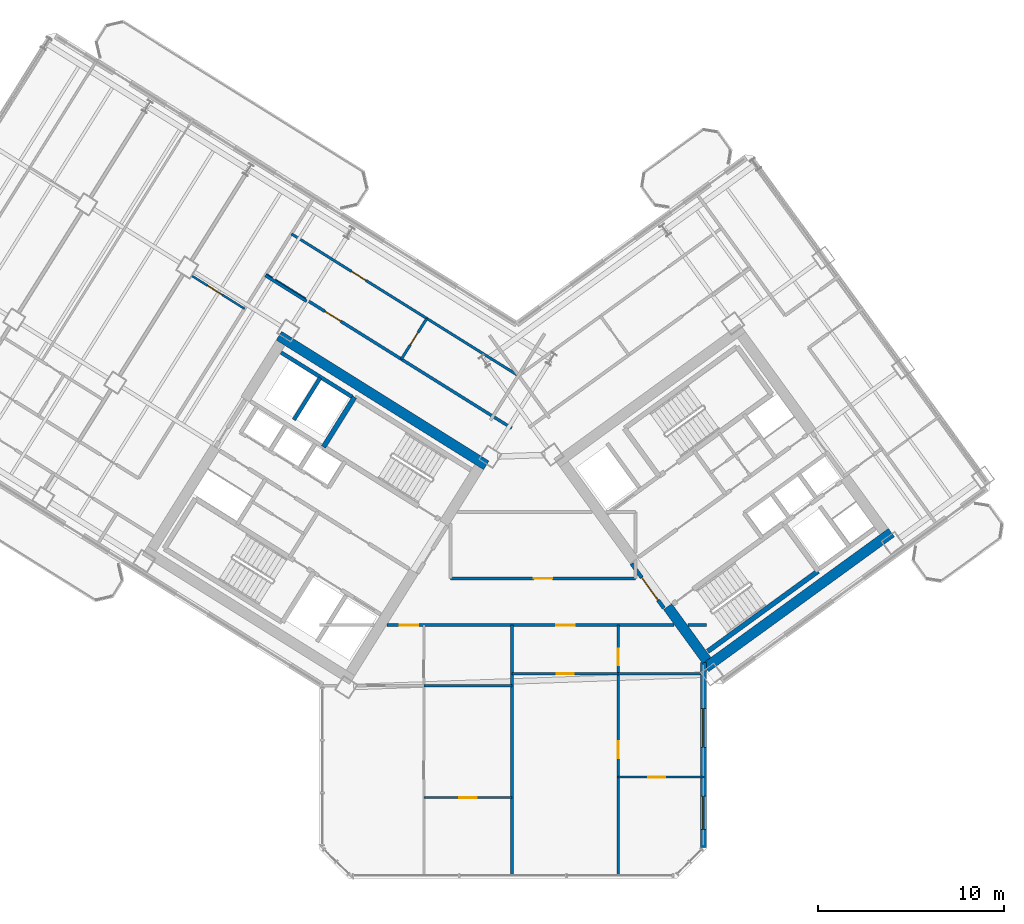
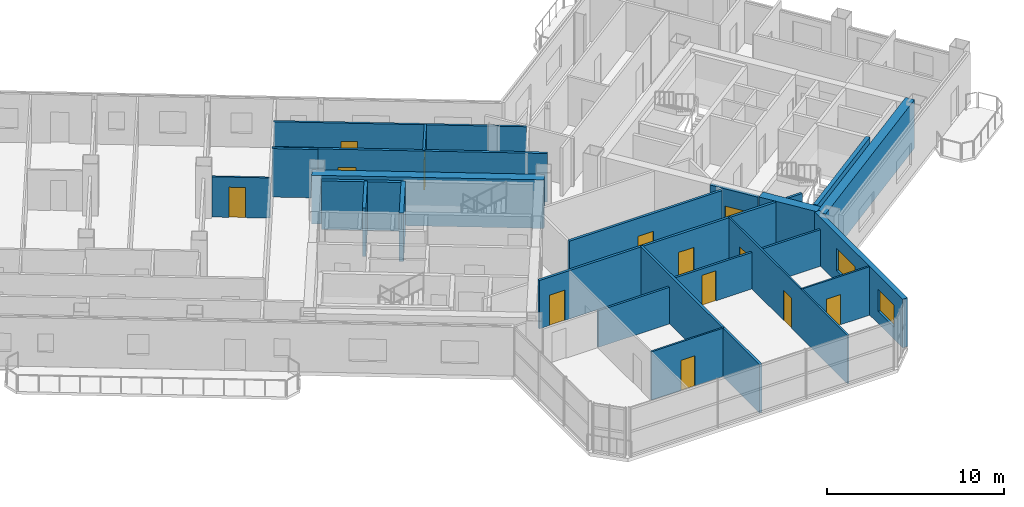
# One storey, part 13 of 21: 24 walls, 13 doors, 2 windows, 15 openings.
"""IFC4 building model written with IfcOpenShell, lengths in metres."""

from ifc_helpers import new_model, si_unit, direction, frame, frame_2d, origin, place, context, subcontext, project, spatial, rectangle, extrude, source, transform, mapped, material, layer, layer_set, type_object, element, fill, save


model = new_model("IFC4")

# Units and contexts
model_context = context("Model", 3, precision=1e-05, world=origin(), true_north=direction((0.0, 1.0)))
body_context = subcontext(model_context, "Body", "Model", "MODEL_VIEW")
ifc_project = project(units=[si_unit("LENGTHUNIT", "METRE"), si_unit("AREAUNIT", "SQUARE_METRE"), si_unit("VOLUMEUNIT", "CUBIC_METRE"), si_unit("PLANEANGLEUNIT", "RADIAN"), si_unit("MASSUNIT", "GRAM", prefix="KILO")], contexts=[model_context])

# Site, building, storey
site_placement = place(None, origin())
site = spatial("IfcSite", under=ifc_project, at=site_placement, CompositionType="ELEMENT")
building_placement = place(site_placement, origin())
building = spatial("IfcBuilding", under=site, at=building_placement, Name="Tlacorven Tower", CompositionType="ELEMENT")
storey_placement = place(building_placement, frame((0.0, 0.0, 105.300048828125)))
storey = spatial("IfcBuildingStorey", under=building, at=storey_placement, Name="L26", CompositionType="ELEMENT", Elevation=105.300048828125)

# Walls
ifc_material_1 = material(Name="Concrete C60/75", Category="concrete")
ifc_layer_1 = layer(ifc_material_1, 0.550048828125)
ifc_layer_set_1 = layer_set([ifc_layer_1], Name="Concrete C60/75")
wall_type_1 = type_object("IfcWallType", Name="WL-COR-550", PredefinedType="SHEAR", material=ifc_layer_set_1)
wall_1_placement = place(storey_placement, frame((40.572998046875, 24.010009765625, 0.0), z_axis=(0.0, 0.0, 1.0), x_axis=(-0.848047359947, 0.529920442413, 0.0)))
element("IfcWall", 1, at=wall_1_placement, inside=storey, type_object=wall_type_1, Name="L26 W core shear wall S1", PredefinedType="SHEAR", context=body_context, shape_type="SweptSolid", body=[
    extrude(rectangle(XDim=13.139892578125, YDim=0.550048828125, at=frame_2d((6.56982421875, 0.0))), origin(), (0.0, 0.0, 1.0), 3.349853515625),
])
wall_2_placement = place(storey_placement, frame((52.35888671875, 13.1396484375, 0.0), z_axis=(0.0, 0.0, 1.0), x_axis=(0.809014896919, 0.587788139183, 0.0)))
element("IfcWall", 2, at=wall_2_placement, inside=storey, type_object=wall_type_1, Name="L26 E core shear wall S1", PredefinedType="SHEAR", context=body_context, shape_type="SweptSolid", body=[
    extrude(rectangle(XDim=12.340087890625, YDim=0.550048828125, at=frame_2d((6.169921875, 0.0))), origin(), (0.0, 0.0, 1.0), 3.349853515625),
])
wall_3_placement = place(storey_placement, frame((52.419677734375, 13.52392578125, 0.0), z_axis=(0.0, 0.0, 1.0), x_axis=(-0.587802113096, 0.809004744015, 0.0)))
element("IfcWall", 3, at=wall_3_placement, inside=storey, type_object=wall_type_1, Name="L26 E core end wall E1.1", PredefinedType="SHEAR", context=body_context, shape_type="SweptSolid", body=[
    extrude(rectangle(XDim=3.574951171875, YDim=0.550048828125, at=frame_2d((1.78759765625, 0.0))), origin(), (0.0, 0.0, 1.0), 3.349853515625),
])
ifc_material_2 = material(Name="Gypsum plasterboard acoustic partition", Category="gypsum")
ifc_layer_2 = layer(ifc_material_2, 0.159912109375)
ifc_layer_set_2 = layer_set([ifc_layer_2], Name="Gypsum plasterboard acoustic partition")
wall_type_2 = type_object("IfcWallType", Name="WL-DEM-160", PredefinedType="PARTITIONING", material=ifc_layer_set_2)
wall_4_placement = place(storey_placement, frame((30.91357421875, 32.82861328125, 0.0), z_axis=(0.0, 0.0, 1.0), x_axis=(-0.848008813643, 0.529982124211, 0.0)))
element("IfcWall", 4, at=wall_4_placement, inside=storey, type_object=wall_type_2, Name="L26 partition 50", PredefinedType="PARTITIONING", context=body_context, shape_type="SweptSolid", body=[
    extrude(rectangle(XDim=2.610107421875, YDim=0.159912109375, at=frame_2d((1.30517578125, 0.0))), origin(), (0.0, 0.0, 1.0), 3.33984375),
])

# Wall, opening, door
wall_5_placement = place(storey_placement, frame((41.93603515625, 26.011962890625, 0.0), z_axis=(0.0, 0.0, 1.0), x_axis=(-0.848051154596, 0.529914369676, 0.0)))
wall_5 = element("IfcWall", 5, at=wall_5_placement, inside=storey, type_object=wall_type_2, Name="L26 partition 69", PredefinedType="PARTITIONING", context=body_context, shape_type="SweptSolid", body=[
    extrude(rectangle(XDim=15.56982421875, YDim=0.159912109375, at=frame_2d((7.784912109375, 0.0))), origin(), (0.0, 0.0, 1.0), 3.33984375),
])
opening_1_placement = place(wall_5_placement, frame((10.830078125, 0.0, 0.0)))
opening_1 = element("IfcOpeningElement", 6, at=opening_1_placement, cuts=wall_5, Name="Opening D11", PredefinedType="OPENING", context=body_context, shape_type="SweptSolid", body=[
    extrude(rectangle(XDim=1.0, YDim=2.10009765625, at=frame_2d((0.5, 1.050048828125))), frame((0.0, 0.08984375, 0.0), z_axis=(0.0, -1.0, 0.0), x_axis=(1.0, 0.0, 0.0)), (0.0, 0.0, 1.0), 0.179931640625),
])
ifc_material_3 = material(Name="Fire-rated steel door assembly", Category="steel")
door_type_1 = type_object("IfcDoorType", Name="DR-FLT-FD60-1000", OperationType="NOTDEFINED", PredefinedType="DOOR", material=ifc_material_3)
shared_shape_1 = source(origin(), body_context, "Body", "SweptSolid", [
    extrude(rectangle(XDim=1.0, YDim=2.10009765625, at=frame_2d((0.5, 1.050048828125))), frame((0.0, 0.02490234375, 0.0), z_axis=(0.0, -1.0, 0.0), x_axis=(1.0, 0.0, 0.0)), (0.0, 0.0, 1.0), 0.050048828125),
])
door_1_placement = place(opening_1_placement, origin())
door_1 = element("IfcDoor", 7, at=door_1_placement, inside=storey, type_object=door_type_1, Name="L26 door 039", OperationType="SINGLE_SWING_RIGHT", OverallHeight=2.10009765625, OverallWidth=1.0, PredefinedType="DOOR", context=body_context, shape_type="MappedRepresentation", body=[
    mapped(shared_shape_1, transform((0.0, 0.0, 0.0), scale=1.0)),
])
fill(opening_1, door_1)

# Wall, openings, doors
wall_6_placement = place(storey_placement, frame((35.2373046875, 15.419921875, 0.0), z_axis=(0.0, 0.0, 1.0), x_axis=(1.0, 0.0, 0.0)))
wall_6 = element("IfcWall", 8, at=wall_6_placement, inside=storey, type_object=wall_type_2, Name="L26 Knuckle Corridor South Wall", PredefinedType="PARTITIONING", context=body_context, shape_type="SweptSolid", body=[
    extrude(rectangle(XDim=15.431640625, YDim=0.159912109375, at=frame_2d((7.7158203125, 0.0))), origin(), (0.0, 0.0, 1.0), 3.33984375),
])
opening_2_placement = place(wall_6_placement, frame((0.673583984375, 0.0, 0.0)))
opening_2 = element("IfcOpeningElement", 9, at=opening_2_placement, cuts=wall_6, Name="Opening D11", PredefinedType="OPENING", context=body_context, shape_type="SweptSolid", body=[
    extrude(rectangle(XDim=1.0, YDim=2.10009765625, at=frame_2d((0.5, 1.050048828125))), frame((0.0, 0.08984375, 0.0), z_axis=(0.0, -1.0, 0.0), x_axis=(1.0, 0.0, 0.0)), (0.0, 0.0, 1.0), 0.179931640625),
])
opening_3_placement = place(wall_6_placement, frame((9.093994140625, 0.0, 0.0)))
opening_3 = element("IfcOpeningElement", 10, at=opening_3_placement, cuts=wall_6, Name="Opening D11", PredefinedType="OPENING", context=body_context, shape_type="SweptSolid", body=[
    extrude(rectangle(XDim=1.0, YDim=2.10009765625, at=frame_2d((0.5, 1.050048828125))), frame((0.0, 0.08984375, 0.0), z_axis=(0.0, -1.0, 0.0), x_axis=(1.0, 0.0, 0.0)), (0.0, 0.0, 1.0), 0.179931640625),
])
door_2_placement = place(opening_2_placement, frame((1.0, 0.0, 0.0), z_axis=(0.0, 0.0, 1.0), x_axis=(-1.0, 0.0, 0.0)))
door_2 = element("IfcDoor", 11, at=door_2_placement, inside=storey, type_object=door_type_1, Name="L26 door 047", OperationType="SINGLE_SWING_RIGHT", OverallHeight=2.10009765625, OverallWidth=1.0, PredefinedType="DOOR", context=body_context, shape_type="MappedRepresentation", body=[
    mapped(shared_shape_1, transform((0.0, 0.0, 0.0), scale=1.0)),
])
fill(opening_2, door_2)
door_3_placement = place(opening_3_placement, frame((1.0, 0.0, 0.0), z_axis=(0.0, 0.0, 1.0), x_axis=(-1.0, 0.0, 0.0)))
door_3 = element("IfcDoor", 12, at=door_3_placement, inside=storey, type_object=door_type_1, Name="L26 door 052", OperationType="SINGLE_SWING_LEFT", OverallHeight=2.10009765625, OverallWidth=1.0, PredefinedType="DOOR", context=body_context, shape_type="MappedRepresentation", body=[
    mapped(shared_shape_1, transform((0.0, 0.0, 0.0), scale=1.0)),
])
fill(opening_3, door_3)

# Wall
wall_7_placement = place(storey_placement, frame((51.41552734375, 15.419921875, 0.0), z_axis=(0.0, 0.0, 1.0), x_axis=(1.0, 0.0, 0.0)))
element("IfcWall", 13, at=wall_7_placement, inside=storey, type_object=wall_type_2, Name="L26 Knuckle Corridor South Wall", PredefinedType="PARTITIONING", context=body_context, shape_type="SweptSolid", body=[
    extrude(rectangle(XDim=0.984375, YDim=0.159912109375, at=frame_2d((0.4921875, 0.0))), origin(), (0.0, 0.0, 1.0), 3.33984375),
])

# Wall, opening, door
wall_8_placement = place(storey_placement, frame((38.64990234375, 17.929931640625, 0.0), z_axis=(0.0, 0.0, 1.0), x_axis=(1.0, 0.0, 0.0)))
wall_8 = element("IfcWall", 14, at=wall_8_placement, inside=storey, type_object=wall_type_2, Name="L26 partition 75", PredefinedType="PARTITIONING", context=body_context, shape_type="SweptSolid", body=[
    extrude(rectangle(XDim=9.9501953125, YDim=0.159912109375, at=frame_2d((4.97509765625, 0.0))), origin(), (0.0, 0.0, 1.0), 3.33984375),
])
opening_4_placement = place(wall_8_placement, frame((4.47509765625, 0.0, 0.0)))
opening_4 = element("IfcOpeningElement", 15, at=opening_4_placement, cuts=wall_8, Name="Opening D11", PredefinedType="OPENING", context=body_context, shape_type="SweptSolid", body=[
    extrude(rectangle(XDim=1.0, YDim=2.10009765625, at=frame_2d((0.5, 1.050048828125))), frame((0.0, 0.08984375, 0.0), z_axis=(0.0, -1.0, 0.0), x_axis=(1.0, 0.0, 0.0)), (0.0, 0.0, 1.0), 0.179931640625),
])
door_4_placement = place(opening_4_placement, origin())
door_4 = element("IfcDoor", 16, at=door_4_placement, inside=storey, type_object=door_type_1, Name="L26 door 042", OperationType="SINGLE_SWING_LEFT", OverallHeight=2.10009765625, OverallWidth=1.0, PredefinedType="DOOR", context=body_context, shape_type="MappedRepresentation", body=[
    mapped(shared_shape_1, transform((0.0, 0.0, 0.0), scale=1.0)),
])
fill(opening_4, door_4)

# Wall
wall_9_placement = place(storey_placement, frame((41.949951171875, 1.9599609375, 0.0), z_axis=(0.0, 0.0, 1.0), x_axis=(0.0, 1.0, 0.0)))
element("IfcWall", 17, at=wall_9_placement, inside=storey, type_object=wall_type_2, Name="L26 Knuckle Demising Wall 1", PredefinedType="PARTITIONING", context=body_context, shape_type="SweptSolid", body=[
    extrude(rectangle(XDim=13.4599609375, YDim=0.159912109375, at=frame_2d((6.72998046875, 0.0))), origin(), (0.0, 0.0, 1.0), 3.33984375),
])

# Wall, openings, windows
ifc_material_4 = material(Name="Precast concrete C45/55", Category="concrete")
ifc_layer_3 = layer(ifc_material_4, 0.320068359375)
ifc_layer_set_3 = layer_set([ifc_layer_3], Name="Precast concrete C45/55")
wall_type_3 = type_object("IfcWallType", Name="WL-EXT-320", PredefinedType="STANDARD", material=ifc_layer_set_3)
wall_10_placement = place(storey_placement, frame((52.239990234375, 13.4140625, 0.0), z_axis=(0.0, 0.0, 1.0), x_axis=(0.0, -1.0, 0.0)))
wall_10 = element("IfcWall", 18, at=wall_10_placement, inside=storey, type_object=wall_type_3, Name="L26 Masonry-Frame Recessed Facade Wall 7", PredefinedType="STANDARD", context=body_context, shape_type="SweptSolid", body=[
    extrude(rectangle(XDim=9.94775390625, YDim=0.320068359375, at=frame_2d((4.973876953125, 0.0))), origin(), (0.0, 0.0, 1.0), 3.349853515625),
])
opening_5_placement = place(wall_10_placement, frame((2.4599609375, 0.0, 0.800048828125)))
opening_5 = element("IfcOpeningElement", 19, at=opening_5_placement, cuts=wall_10, Name="Opening WN04", PredefinedType="OPENING", context=body_context, shape_type="SweptSolid", body=[
    extrude(rectangle(XDim=2.10009765625, YDim=1.550048828125, at=frame_2d((1.050048828125, 0.77490234375))), frame((0.0, 0.169921875, 0.0), z_axis=(0.0, -1.0, 0.0), x_axis=(1.0, 0.0, 0.0)), (0.0, 0.0, 1.0), 0.340087890625),
])
opening_6_placement = place(wall_10_placement, frame((7.183349609375, 0.0, 0.85009765625)))
opening_6 = element("IfcOpeningElement", 20, at=opening_6_placement, cuts=wall_10, Name="Opening WN01", PredefinedType="OPENING", context=body_context, shape_type="SweptSolid", body=[
    extrude(rectangle(XDim=1.800048828125, YDim=1.5, at=frame_2d((0.89990234375, 0.75))), frame((0.0, 0.169921875, 0.0), z_axis=(0.0, -1.0, 0.0), x_axis=(1.0, 0.0, 0.0)), (0.0, 0.0, 1.0), 0.340087890625),
])
ifc_material_5 = material(Name="Dark solar low-E double glazing in anodised aluminium frame", Category="aluminium")
window_type_1 = type_object("IfcWindowType", Name="WN-APT-2100X1750", PartitioningType="SINGLE_PANEL", PredefinedType="WINDOW", material=ifc_material_5)
shared_shape_2 = source(origin(), body_context, "Body", "SweptSolid", [
    extrude(rectangle(XDim=2.10009765625, YDim=1.550048828125, at=frame_2d((1.050048828125, 0.77490234375))), frame((0.0, 0.030029296875, 0.0), z_axis=(0.0, -1.0, 0.0), x_axis=(1.0, 0.0, 0.0)), (0.0, 0.0, 1.0), 0.06005859375),
])
window_1_placement = place(opening_5_placement, origin())
window_1 = element("IfcWindow", 21, at=window_1_placement, inside=storey, type_object=window_type_1, Name="L26 Recessed Masonry-Frame Window L26-07.1", OverallHeight=1.550048828125, OverallWidth=2.10009765625, PartitioningType="SINGLE_PANEL", PredefinedType="WINDOW", context=body_context, shape_type="MappedRepresentation", body=[
    mapped(shared_shape_2, transform((0.0, 0.0, 0.0), scale=1.0)),
])
fill(opening_5, window_1)
window_type_2 = type_object("IfcWindowType", Name="WN-APT-1800X1650", PartitioningType="SINGLE_PANEL", PredefinedType="WINDOW", material=ifc_material_5)
shared_shape_3 = source(origin(), body_context, "Body", "SweptSolid", [
    extrude(rectangle(XDim=1.800048828125, YDim=1.5, at=frame_2d((0.89990234375, 0.75))), frame((0.0, 0.030029296875, 0.0), z_axis=(0.0, -1.0, 0.0), x_axis=(1.0, 0.0, 0.0)), (0.0, 0.0, 1.0), 0.06005859375),
])
window_2_placement = place(opening_6_placement, origin())
window_2 = element("IfcWindow", 22, at=window_2_placement, inside=storey, type_object=window_type_2, Name="L26 Recessed Masonry-Frame Window L26-07.2", OverallHeight=1.5, OverallWidth=1.800048828125, PartitioningType="SINGLE_PANEL", PredefinedType="WINDOW", context=body_context, shape_type="MappedRepresentation", body=[
    mapped(shared_shape_3, transform((0.0, 0.0, 0.0), scale=1.0)),
])
fill(opening_6, window_2)

# Wall, opening, door
ifc_material_6 = material(Name="Gypsum plasterboard partition", Category="gypsum")
ifc_layer_4 = layer(ifc_material_6, 0.110107421875)
ifc_layer_set_4 = layer_set([ifc_layer_4], Name="Gypsum plasterboard partition")
wall_type_4 = type_object("IfcWallType", Name="WL-INT-110", PredefinedType="PARTITIONING", material=ifc_layer_set_4)
wall_11_placement = place(storey_placement, frame((27.5830078125, 32.424072265625, 0.0), z_axis=(0.0, 0.0, 1.0), x_axis=(-0.848031272749, 0.529946186362, 0.0)))
wall_11 = element("IfcWall", 23, at=wall_11_placement, inside=storey, type_object=wall_type_4, Name="L26 partition 59", PredefinedType="PARTITIONING", context=body_context, shape_type="SweptSolid", body=[
    extrude(rectangle(XDim=3.328125, YDim=0.110107421875, at=frame_2d((1.6640625, 0.0))), origin(), (0.0, 0.0, 1.0), 2.77490234375),
])
opening_7_placement = place(wall_11_placement, frame((1.43505859375, 0.0, 0.0)))
opening_7 = element("IfcOpeningElement", 24, at=opening_7_placement, cuts=wall_11, Name="Opening D12", PredefinedType="OPENING", context=body_context, shape_type="SweptSolid", body=[
    extrude(rectangle(XDim=0.919921875, YDim=2.080078125, at=frame_2d((0.4599609375, 1.0400390625))), frame((0.0, 0.06494140625, 0.0), z_axis=(0.0, -1.0, 0.0), x_axis=(1.0, 0.0, 0.0)), (0.0, 0.0, 1.0), 0.130126953125),
])
ifc_material_7 = material(Name="Powder-coated aluminium and timber door", Category="wood")
door_type_2 = type_object("IfcDoorType", Name="DR-INT-ROOM-0920", OperationType="NOTDEFINED", PredefinedType="DOOR", material=ifc_material_7)
shared_shape_4 = source(origin(), body_context, "Body", "SweptSolid", [
    extrude(rectangle(XDim=0.919921875, YDim=2.080078125, at=frame_2d((0.4599609375, 1.0400390625))), frame((0.0, 0.02490234375, 0.0), z_axis=(0.0, -1.0, 0.0), x_axis=(1.0, 0.0, 0.0)), (0.0, 0.0, 1.0), 0.050048828125),
])
door_5_placement = place(opening_7_placement, origin())
door_5 = element("IfcDoor", 25, at=door_5_placement, inside=storey, type_object=door_type_2, Name="L26 door 028", OperationType="SINGLE_SWING_LEFT", OverallHeight=2.080078125, OverallWidth=0.919921875, PredefinedType="DOOR", context=body_context, shape_type="MappedRepresentation", body=[
    mapped(shared_shape_4, transform((0.0, 0.0, 0.0), scale=1.0)),
])
fill(opening_7, door_5)

wall_12_placement = place(storey_placement, frame((37.221923828125, 6.14990234375, 0.0), z_axis=(0.0, 0.0, 1.0), x_axis=(1.0, 0.0, 0.0)))
wall_12 = element("IfcWall", 26, at=wall_12_placement, inside=storey, type_object=wall_type_4, Name="L26 partition 84", PredefinedType="PARTITIONING", context=body_context, shape_type="SweptSolid", body=[
    extrude(rectangle(XDim=4.72802734375, YDim=0.110107421875, at=frame_2d((2.364013671875, 0.0))), origin(), (0.0, 0.0, 1.0), 3.33984375),
])
opening_8_placement = place(wall_12_placement, frame((1.904052734375, 0.0, 0.0)))
opening_8 = element("IfcOpeningElement", 27, at=opening_8_placement, cuts=wall_12, Name="Opening D12", PredefinedType="OPENING", context=body_context, shape_type="SweptSolid", body=[
    extrude(rectangle(XDim=0.919921875, YDim=2.080078125, at=frame_2d((0.4599609375, 1.0400390625))), frame((0.0, 0.06494140625, 0.0), z_axis=(0.0, -1.0, 0.0), x_axis=(1.0, 0.0, 0.0)), (0.0, 0.0, 1.0), 0.130126953125),
])
door_6_placement = place(opening_8_placement, origin())
door_6 = element("IfcDoor", 28, at=door_6_placement, inside=storey, type_object=door_type_2, Name="L26 door 046", OperationType="SINGLE_SWING_LEFT", OverallHeight=2.080078125, OverallWidth=0.919921875, PredefinedType="DOOR", context=body_context, shape_type="MappedRepresentation", body=[
    mapped(shared_shape_4, transform((0.0, 0.0, 0.0), scale=1.0)),
])
fill(opening_8, door_6)

# Wall, openings, doors
wall_13_placement = place(storey_placement, frame((47.6630859375, 1.9599609375, 0.0), z_axis=(0.0, 0.0, 1.0), x_axis=(0.0, 1.0, 0.0)))
wall_13 = element("IfcWall", 29, at=wall_13_placement, inside=storey, type_object=wall_type_4, Name="L26 partition 85", PredefinedType="PARTITIONING", context=body_context, shape_type="SweptSolid", body=[
    extrude(rectangle(XDim=13.4599609375, YDim=0.110107421875, at=frame_2d((6.72998046875, 0.0))), origin(), (0.0, 0.0, 1.0), 3.33984375),
])
opening_9_placement = place(wall_13_placement, frame((6.300048828125, 0.0, 0.0)))
opening_9 = element("IfcOpeningElement", 30, at=opening_9_placement, cuts=wall_13, Name="Opening D12", PredefinedType="OPENING", context=body_context, shape_type="SweptSolid", body=[
    extrude(rectangle(XDim=0.919921875, YDim=2.080078125, at=frame_2d((0.4599609375, 1.0400390625))), frame((0.0, 0.06494140625, 0.0), z_axis=(0.0, -1.0, 0.0), x_axis=(1.0, 0.0, 0.0)), (0.0, 0.0, 1.0), 0.130126953125),
])
opening_10_placement = place(wall_13_placement, frame((11.320068359375, 0.0, 0.0)))
opening_10 = element("IfcOpeningElement", 31, at=opening_10_placement, cuts=wall_13, Name="Opening D13", PredefinedType="OPENING", context=body_context, shape_type="SweptSolid", body=[
    extrude(rectangle(XDim=0.8798828125, YDim=2.080078125, at=frame_2d((0.43994140625, 1.0400390625))), frame((0.0, 0.06494140625, 0.0), z_axis=(0.0, -1.0, 0.0), x_axis=(1.0, 0.0, 0.0)), (0.0, 0.0, 1.0), 0.130126953125),
])
door_type_3 = type_object("IfcDoorType", Name="DR-INT-WET-0880", OperationType="NOTDEFINED", PredefinedType="DOOR", material=ifc_material_7)
shared_shape_5 = source(origin(), body_context, "Body", "SweptSolid", [
    extrude(rectangle(XDim=0.8798828125, YDim=2.080078125, at=frame_2d((0.43994140625, 1.0400390625))), frame((0.0, 0.02490234375, 0.0), z_axis=(0.0, -1.0, 0.0), x_axis=(1.0, 0.0, 0.0)), (0.0, 0.0, 1.0), 0.050048828125),
])
door_7_placement = place(opening_10_placement, origin())
door_7 = element("IfcDoor", 32, at=door_7_placement, inside=storey, type_object=door_type_3, Name="L26 door 054", OperationType="SINGLE_SWING_LEFT", OverallHeight=2.080078125, OverallWidth=0.8798828125, PredefinedType="DOOR", context=body_context, shape_type="MappedRepresentation", body=[
    mapped(shared_shape_5, transform((0.0, 0.0, 0.0), scale=1.0)),
])
fill(opening_10, door_7)
door_8_placement = place(opening_9_placement, origin())
door_8 = element("IfcDoor", 33, at=door_8_placement, inside=storey, type_object=door_type_2, Name="L26 door 050", OperationType="SINGLE_SWING_LEFT", OverallHeight=2.080078125, OverallWidth=0.919921875, PredefinedType="DOOR", context=body_context, shape_type="MappedRepresentation", body=[
    mapped(shared_shape_4, transform((0.0, 0.0, 0.0), scale=1.0)),
])
fill(opening_9, door_8)

# Wall, opening, door
wall_14_placement = place(storey_placement, frame((47.6630859375, 7.25, 0.0), z_axis=(0.0, 0.0, 1.0), x_axis=(1.0, 0.0, 0.0)))
wall_14 = element("IfcWall", 34, at=wall_14_placement, inside=storey, type_object=wall_type_4, Name="L26 partition 88", PredefinedType="PARTITIONING", context=body_context, shape_type="SweptSolid", body=[
    extrude(rectangle(XDim=4.596923828125, YDim=0.110107421875, at=frame_2d((2.29833984375, 0.0))), origin(), (0.0, 0.0, 1.0), 3.33984375),
])
opening_11_placement = place(wall_14_placement, frame((1.6083984375, 0.0, 0.0)))
opening_11 = element("IfcOpeningElement", 35, at=opening_11_placement, cuts=wall_14, Name="Opening D12", PredefinedType="OPENING", context=body_context, shape_type="SweptSolid", body=[
    extrude(rectangle(XDim=0.919921875, YDim=2.080078125, at=frame_2d((0.4599609375, 1.0400390625))), frame((0.0, 0.06494140625, 0.0), z_axis=(0.0, -1.0, 0.0), x_axis=(1.0, 0.0, 0.0)), (0.0, 0.0, 1.0), 0.130126953125),
])
door_9_placement = place(opening_11_placement, origin())
door_9 = element("IfcDoor", 36, at=door_9_placement, inside=storey, type_object=door_type_2, Name="L26 door 051", OperationType="SINGLE_SWING_RIGHT", OverallHeight=2.080078125, OverallWidth=0.919921875, PredefinedType="DOOR", context=body_context, shape_type="MappedRepresentation", body=[
    mapped(shared_shape_4, transform((0.0, 0.0, 0.0), scale=1.0)),
])
fill(opening_11, door_9)

ifc_material_8 = material(Name="Moisture-resistant gypsum plumbing wall", Category="gypsum")
ifc_layer_5 = layer(ifc_material_8, 0.139892578125)
ifc_layer_set_5 = layer_set([ifc_layer_5], Name="Moisture-resistant gypsum plumbing wall")
wall_type_5 = type_object("IfcWallType", Name="WL-PLM-140", PredefinedType="PLUMBINGWALL", material=ifc_layer_set_5)
wall_15_placement = place(storey_placement, frame((42.226318359375, 28.872802734375, 0.0), z_axis=(0.0, 0.0, 1.0), x_axis=(-0.848049134363, 0.529917602752, 0.0)))
wall_15 = element("IfcWall", 37, at=wall_15_placement, inside=storey, type_object=wall_type_5, Name="L26 partition 71", PredefinedType="PLUMBINGWALL", context=body_context, shape_type="SweptSolid", body=[
    extrude(rectangle(XDim=14.300048828125, YDim=0.139892578125, at=frame_2d((7.14990234375, 0.0))), origin(), (0.0, 0.0, 1.0), 3.33984375),
])
opening_12_placement = place(wall_15_placement, frame((9.570068359375, 0.0, 0.0)))
opening_12 = element("IfcOpeningElement", 38, at=opening_12_placement, cuts=wall_15, Name="Opening D12", PredefinedType="OPENING", context=body_context, shape_type="SweptSolid", body=[
    extrude(rectangle(XDim=0.919921875, YDim=2.080078125, at=frame_2d((0.4599609375, 1.0400390625))), frame((0.0, 0.080078125, 0.0), z_axis=(0.0, -1.0, 0.0), x_axis=(1.0, 0.0, 0.0)), (0.0, 0.0, 1.0), 0.159912109375),
])
door_10_placement = place(opening_12_placement, origin())
door_10 = element("IfcDoor", 39, at=door_10_placement, inside=storey, type_object=door_type_2, Name="L26 door 040", OperationType="SINGLE_SWING_LEFT", OverallHeight=2.080078125, OverallWidth=0.919921875, PredefinedType="DOOR", context=body_context, shape_type="MappedRepresentation", body=[
    mapped(shared_shape_4, transform((0.0, 0.0, 0.0), scale=1.0)),
])
fill(opening_12, door_10)

wall_16_placement = place(storey_placement, frame((37.37548828125, 31.904052734375, 0.0), z_axis=(0.0, 0.0, 1.0), x_axis=(-0.529913878929, -0.848051461244, 0.0)))
wall_16 = element("IfcWall", 40, at=wall_16_placement, inside=storey, type_object=wall_type_5, Name="L26 partition 72", PredefinedType="PLUMBINGWALL", context=body_context, shape_type="SweptSolid", body=[
    extrude(rectangle(XDim=2.580078125, YDim=0.139892578125, at=frame_2d((1.2900390625, 0.0))), origin(), (0.0, 0.0, 1.0), 3.33984375),
])
opening_13_placement = place(wall_16_placement, frame((0.89990234375, 0.0, 0.0)))
opening_13 = element("IfcOpeningElement", 41, at=opening_13_placement, cuts=wall_16, Name="Opening D22", PredefinedType="OPENING", context=body_context, shape_type="SweptSolid", body=[
    extrude(rectangle(XDim=0.780029296875, YDim=2.050048828125, at=frame_2d((0.39013671875, 1.02490234375))), frame((0.0, 0.080078125, 0.0), z_axis=(0.0, -1.0, 0.0), x_axis=(1.0, 0.0, 0.0)), (0.0, 0.0, 1.0), 0.159912109375),
])
door_type_4 = type_object("IfcDoorType", Name="DR-INT-WET-0780", OperationType="NOTDEFINED", PredefinedType="DOOR", material=ifc_material_7)
shared_shape_6 = source(origin(), body_context, "Body", "SweptSolid", [
    extrude(rectangle(XDim=0.780029296875, YDim=2.050048828125, at=frame_2d((0.39013671875, 1.02490234375))), frame((0.0, 0.02490234375, 0.0), z_axis=(0.0, -1.0, 0.0), x_axis=(1.0, 0.0, 0.0)), (0.0, 0.0, 1.0), 0.050048828125),
])
door_11_placement = place(opening_13_placement, origin())
door_11 = element("IfcDoor", 42, at=door_11_placement, inside=storey, type_object=door_type_4, Name="L26 door 041", OperationType="SINGLE_SWING_RIGHT", OverallHeight=2.050048828125, OverallWidth=0.780029296875, PredefinedType="DOOR", context=body_context, shape_type="MappedRepresentation", body=[
    mapped(shared_shape_6, transform((0.0, 0.0, 0.0), scale=1.0)),
])
fill(opening_13, door_11)

# Wall
wall_17_placement = place(storey_placement, frame((37.221923828125, 12.169921875, 0.0), z_axis=(0.0, 0.0, 1.0), x_axis=(1.0, 0.0, 0.0)))
element("IfcWall", 43, at=wall_17_placement, inside=storey, type_object=wall_type_5, Name="L26 partition 83", PredefinedType="PLUMBINGWALL", context=body_context, shape_type="SweptSolid", body=[
    extrude(rectangle(XDim=4.72802734375, YDim=0.139892578125, at=frame_2d((2.364013671875, 0.0))), origin(), (0.0, 0.0, 1.0), 2.52490234375),
])

# Wall, opening, door
wall_18_placement = place(storey_placement, frame((41.949951171875, 12.820068359375, 0.0), z_axis=(0.0, 0.0, 1.0), x_axis=(1.0, 0.0, 0.0)))
wall_18 = element("IfcWall", 44, at=wall_18_placement, inside=storey, type_object=wall_type_5, Name="L26 partition 86", PredefinedType="PLUMBINGWALL", context=body_context, shape_type="SweptSolid", body=[
    extrude(rectangle(XDim=5.713134765625, YDim=0.139892578125, at=frame_2d((2.8564453125, 0.0))), origin(), (0.0, 0.0, 1.0), 2.52490234375),
])
opening_14_placement = place(wall_18_placement, frame((2.396484375, 0.0, 0.0)))
opening_14 = element("IfcOpeningElement", 45, at=opening_14_placement, cuts=wall_18, Name="Opening D12", PredefinedType="OPENING", context=body_context, shape_type="SweptSolid", body=[
    extrude(rectangle(XDim=0.919921875, YDim=2.080078125, at=frame_2d((0.4599609375, 1.0400390625))), frame((0.0, 0.080078125, 0.0), z_axis=(0.0, -1.0, 0.0), x_axis=(1.0, 0.0, 0.0)), (0.0, 0.0, 1.0), 0.159912109375),
])
door_12_placement = place(opening_14_placement, frame((0.919921875, 0.0, 0.0), z_axis=(0.0, 0.0, 1.0), x_axis=(-1.0, 0.0, 0.0)))
door_12 = element("IfcDoor", 46, at=door_12_placement, inside=storey, type_object=door_type_2, Name="L26 door 053", OperationType="SINGLE_SWING_RIGHT", OverallHeight=2.080078125, OverallWidth=0.919921875, PredefinedType="DOOR", context=body_context, shape_type="MappedRepresentation", body=[
    mapped(shared_shape_4, transform((0.0, 0.0, 0.0), scale=1.0)),
])
fill(opening_14, door_12)

# Walls
wall_19_placement = place(storey_placement, frame((47.6630859375, 12.820068359375, 0.0), z_axis=(0.0, 0.0, 1.0), x_axis=(1.0, 0.0, 0.0)))
element("IfcWall", 47, at=wall_19_placement, inside=storey, type_object=wall_type_5, Name="L26 partition 87", PredefinedType="PLUMBINGWALL", context=body_context, shape_type="SweptSolid", body=[
    extrude(rectangle(XDim=4.4375, YDim=0.139892578125, at=frame_2d((2.21875, 0.0))), origin(), (0.0, 0.0, 1.0), 2.52490234375),
])
ifc_material_9 = material(Name="Concrete C40/50", Category="concrete")
ifc_layer_6 = layer(ifc_material_9, 0.199951171875)
ifc_layer_set_6 = layer_set([ifc_layer_6], Name="Concrete C40/50")
wall_type_6 = type_object("IfcWallType", Name="WL-SHF-200", PredefinedType="STANDARD", material=ifc_layer_set_6)
wall_20_placement = place(storey_placement, frame((31.645263671875, 28.716064453125, 0.0), z_axis=(0.0, 0.0, 1.0), x_axis=(-0.52986693015, -0.848080795876, 0.0)))
element("IfcWall", 48, at=wall_20_placement, inside=storey, type_object=wall_type_6, Name="L26 partition 15", PredefinedType="STANDARD", context=body_context, shape_type="SweptSolid", body=[
    extrude(rectangle(XDim=2.659912109375, YDim=0.199951171875, at=frame_2d((1.330078125, 0.0))), origin(), (0.0, 0.0, 1.0), 3.33984375),
])
wall_21_placement = place(storey_placement, frame((33.362548828125, 27.690185546875, 0.0), z_axis=(0.0, 0.0, 1.0), x_axis=(-0.848047090064, 0.529920874315, 0.0)))
element("IfcWall", 49, at=wall_21_placement, inside=storey, type_object=wall_type_6, Name="L26 partition 17", PredefinedType="STANDARD", context=body_context, shape_type="SweptSolid", body=[
    extrude(rectangle(XDim=4.498046875, YDim=0.199951171875, at=frame_2d((2.2490234375, 0.0))), origin(), (0.0, 0.0, 1.0), 3.33984375),
])

# Wall, opening, door
wall_22_placement = place(storey_placement, frame((50.119140625, 16.3330078125, 0.0), z_axis=(0.0, 0.0, 1.0), x_axis=(-0.587749856981, 0.809042709391, 0.0)))
wall_22 = element("IfcWall", 50, at=wall_22_placement, inside=storey, type_object=wall_type_6, Name="L26 partition 79", PredefinedType="STANDARD", context=body_context, shape_type="SweptSolid", body=[
    extrude(rectangle(XDim=2.9599609375, YDim=0.199951171875, at=frame_2d((1.47998046875, 0.0))), origin(), (0.0, 0.0, 1.0), 3.33984375),
])
opening_15_placement = place(wall_22_placement, frame((0.530029296875, 0.0, 0.0)))
opening_15 = element("IfcOpeningElement", 51, at=opening_15_placement, cuts=wall_22, Name="Opening D10", PredefinedType="OPENING", context=body_context, shape_type="SweptSolid", body=[
    extrude(rectangle(XDim=1.5, YDim=2.14990234375, at=frame_2d((0.75, 1.074951171875))), frame((0.0, 0.10986328125, 0.0), z_axis=(0.0, -1.0, 0.0), x_axis=(1.0, 0.0, 0.0)), (0.0, 0.0, 1.0), 0.219970703125),
])
door_type_5 = type_object("IfcDoorType", Name="DR-LOB-FD60-1500", OperationType="DOUBLE_DOOR_SINGLE_SWING", PredefinedType="DOOR", material=ifc_material_3)
shared_shape_7 = source(origin(), body_context, "Body", "SweptSolid", [
    extrude(rectangle(XDim=1.5, YDim=2.14990234375, at=frame_2d((0.75, 1.074951171875))), frame((0.0, 0.02490234375, 0.0), z_axis=(0.0, -1.0, 0.0), x_axis=(1.0, 0.0, 0.0)), (0.0, 0.0, 1.0), 0.050048828125),
])
door_13_placement = place(opening_15_placement, frame((1.5, 0.0, 0.0), z_axis=(0.0, 0.0, 1.0), x_axis=(-1.0, 0.0, 0.0)))
door_13 = element("IfcDoor", 52, at=door_13_placement, inside=storey, type_object=door_type_5, Name="L26 door 044", OperationType="DOUBLE_DOOR_SINGLE_SWING", OverallHeight=2.14990234375, OverallWidth=1.5, PredefinedType="DOOR", context=body_context, shape_type="MappedRepresentation", body=[
    mapped(shared_shape_7, transform((0.0, 0.0, 0.0), scale=1.0)),
])
fill(opening_15, door_13)

# Walls
ifc_material_10 = material(Name="Concrete C50/60", Category="concrete")
ifc_layer_7 = layer(ifc_material_10, 0.260009765625)
ifc_layer_set_7 = layer_set([ifc_layer_7], Name="Concrete C50/60")
wall_type_7 = type_object("IfcWallType", Name="WL-STW-260", PredefinedType="SHEAR", material=ifc_layer_set_7)
wall_23_placement = place(storey_placement, frame((33.496337890625, 27.677490234375, 0.0), z_axis=(0.0, 0.0, 1.0), x_axis=(-0.529908658664, -0.84805472316, 0.0)))
element("IfcWall", 53, at=wall_23_placement, inside=storey, type_object=wall_type_7, Name="L26 Stair W2 East Shear Wall", PredefinedType="SHEAR", context=body_context, shape_type="SweptSolid", body=[
    extrude(rectangle(XDim=3.16015625, YDim=0.260009765625, at=frame_2d((1.580078125, 0.0))), origin(), (0.0, 0.0, 1.0), 3.349853515625),
])
wall_24_placement = place(storey_placement, frame((52.47216796875, 14.01318359375, 0.0), z_axis=(0.0, 0.0, 1.0), x_axis=(0.809028366311, 0.587769599847, 0.0)))
element("IfcWall", 54, at=wall_24_placement, inside=storey, type_object=wall_type_7, Name="L26 Stair E2 Far Shear Wall", PredefinedType="SHEAR", context=body_context, shape_type="SweptSolid", body=[
    extrude(rectangle(XDim=7.330078125, YDim=0.260009765625, at=frame_2d((3.6650390625, 0.0))), origin(), (0.0, 0.0, 1.0), 3.349853515625),
])

save(model, "model.ifc")
